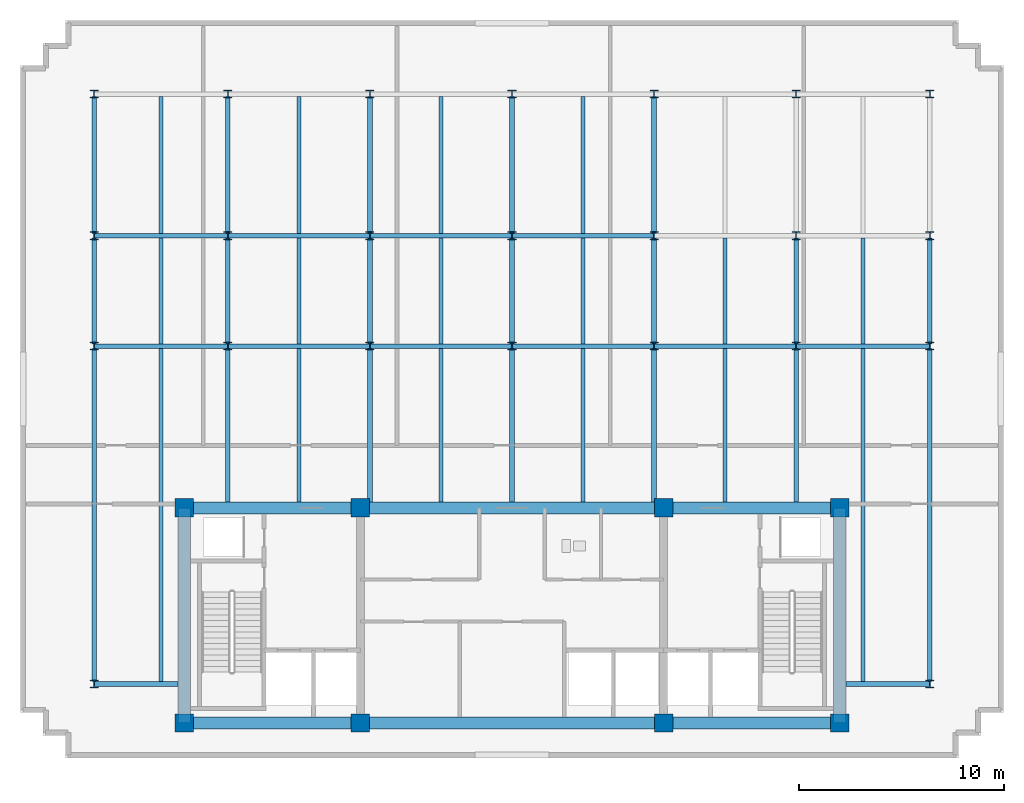
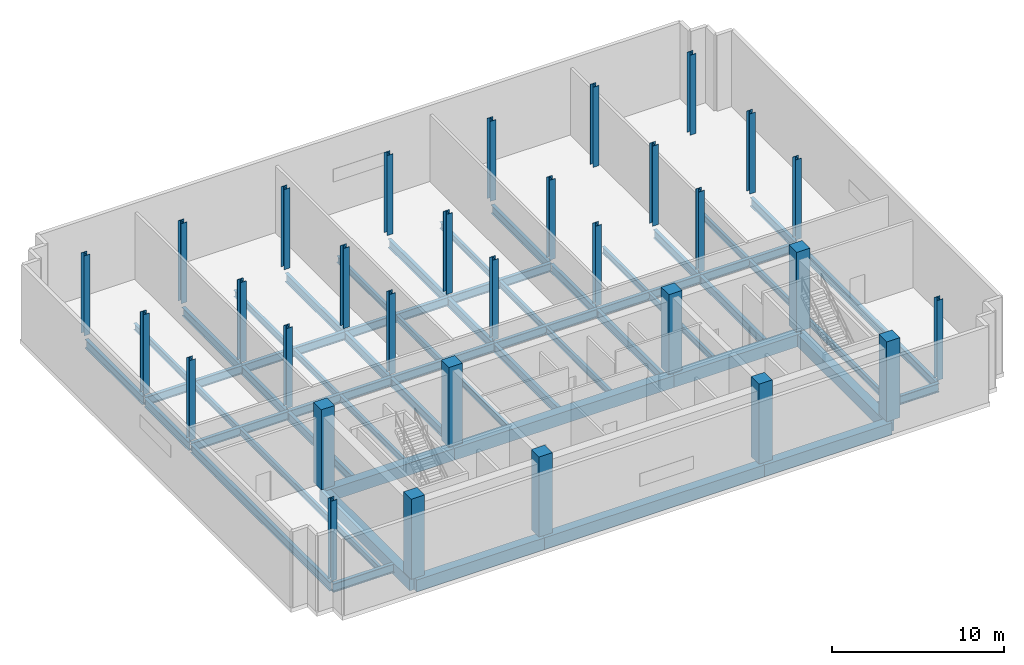
# One storey, part 1 of 7: 55 beams, 31 columns.
"""IFC4 building model written with IfcOpenShell, lengths in metres."""

from ifc_helpers import new_model, si_unit, direction, frame, origin, origin_2d, place, context, subcontext, project, spatial, rectangle, i_section, extrude, material, material_profile, profile_set, type_object, element, save


model = new_model("IFC4")

# Units and contexts
model_context = context("Model", 3, precision=1e-05, world=origin(), true_north=direction((0.0, 1.0)))
body_context = subcontext(model_context, "Body", "Model", "MODEL_VIEW")
ifc_project = project(units=[si_unit("LENGTHUNIT", "METRE"), si_unit("AREAUNIT", "SQUARE_METRE"), si_unit("VOLUMEUNIT", "CUBIC_METRE"), si_unit("PLANEANGLEUNIT", "RADIAN"), si_unit("MASSUNIT", "GRAM", prefix="KILO")], contexts=[model_context])

# Site, building, storey
site_placement = place(None, origin())
site = spatial("IfcSite", under=ifc_project, at=site_placement, CompositionType="ELEMENT")
building_placement = place(site_placement, origin())
building = spatial("IfcBuilding", under=site, at=building_placement, Name="Solmavex Isthmus Hotel", CompositionType="ELEMENT")
storey_placement = place(building_placement, frame((0.0, 0.0, 291.300048828125)))
storey = spatial("IfcBuildingStorey", under=building, at=storey_placement, Name="L79", CompositionType="ELEMENT", Elevation=291.300048828125)

# Columns
ifc_material_1 = material(Name="Concrete C50/60", Category="concrete")
ifc_material_profile_1 = material_profile(ifc_material_1, rectangle(XDim=0.89990234375, YDim=0.89990234375, at=origin_2d()), Name="RC900X900")
ifc_profile_set_1 = profile_set([ifc_material_profile_1], Name="Concrete C50/60")
column_type_1 = type_object("IfcColumnType", Name="COL-CC-900", PredefinedType="COLUMN", material=ifc_profile_set_1)
for number, where, z_axis, x_axis, name in (
    (1, (-16.0, -13.0, 0.0), (0.0, 0.0, 1.0), (1.0, 0.0, 0.0), "Core Pilaster CC-SW L79"),
    (2, (-7.39990234375, -13.0, 0.0), (0.0, 0.0, 1.0), (1.0, 0.0, 0.0), "Core Pilaster CC-S1 L79"),
    (3, (7.39990234375, -13.0, 0.0), (0.0, 0.0, 1.0), (1.0, 0.0, 0.0), "Core Pilaster CC-S2 L79"),
    (4, (16.0, -13.0, 0.0), (0.0, 0.0, 1.0), (1.0, 0.0, 0.0), "Core Pilaster CC-SE L79"),
    (5, (-16.0, -2.5, 0.0), (0.0, 0.0, 1.0), (1.0, 0.0, 0.0), "Core Pilaster CC-NW L79"),
    (6, (-7.39990234375, -2.5, 0.0), (0.0, 0.0, 1.0), (1.0, 0.0, 0.0), "Core Pilaster CC-N1 L79"),
    (7, (7.39990234375, -2.5, 0.0), (0.0, 0.0, 1.0), (1.0, 0.0, 0.0), "Core Pilaster CC-N2 L79"),
    (8, (16.0, -2.5, 0.0), (0.0, 0.0, 1.0), (1.0, 0.0, 0.0), "Core Pilaster CC-NE L79"),
):
    element("IfcColumn", number, at=place(storey_placement, frame(where, z_axis=z_axis, x_axis=x_axis)), inside=storey, type_object=column_type_1, Name=name, PredefinedType="COLUMN", context=body_context, shape_type="SweptSolid", body=[
        extrude(rectangle(XDim=0.89990234375, YDim=0.89990234375, at=origin_2d()), origin(), (0.0, 0.0, 1.0), 5.699951171875),
    ])
ifc_material_2 = material(Name="Steel ASTM A913 Grade 65", Category="steel")
ifc_material_profile_2 = material_profile(ifc_material_2, i_section(OverallWidth=0.393798828125, OverallDepth=0.37548828125, WebThickness=0.017333984375, FlangeThickness=0.027587890625, FilletRadius=0.030517578125, at=origin_2d()), Name="W14X145")
ifc_profile_set_2 = profile_set([ifc_material_profile_2], Name="Steel ASTM A913 Grade 65")
column_type_2 = type_object("IfcColumnType", Name="COL-SC-W14X145", PredefinedType="COLUMN", material=ifc_profile_set_2)
for number, where, z_axis, x_axis, name in (
    (9, (-20.39990234375, -11.10009765625, 0.0), (0.0, 0.0, 1.0), (1.0, 0.0, 0.0), "Tower Column B5-U1V1 L79"),
    (10, (-20.39990234375, 5.39990234375, 0.0), (0.0, 0.0, 1.0), (1.0, 0.0, 0.0), "Tower Column B5-U1V2 L79"),
    (11, (-20.39990234375, 10.7880859375, 0.0), (0.0, 0.0, 1.0), (1.0, 0.0, 0.0), "Tower Column B5-U1V3 L79"),
    (12, (-20.39990234375, 17.699951171875, 0.0), (0.0, 0.0, 1.0), (1.0, 0.0, 0.0), "Tower Column B5-U1V4 L79"),
    (13, (-13.8720703125, 5.39990234375, 0.0), (0.0, 0.0, 1.0), (1.0, 0.0, 0.0), "Tower Column B5-U2V2 L79"),
    (14, (-13.8720703125, 10.7880859375, 0.0), (0.0, 0.0, 1.0), (1.0, 0.0, 0.0), "Tower Column B5-U2V3 L79"),
    (15, (-13.8720703125, 17.699951171875, 0.0), (0.0, 0.0, 1.0), (1.0, 0.0, 0.0), "Tower Column B5-U2V4 L79"),
    (16, (-6.93603515625, 5.39990234375, 0.0), (0.0, 0.0, 1.0), (1.0, 0.0, 0.0), "Tower Column B5-U3V2 L79"),
    (17, (-6.93603515625, 10.7880859375, 0.0), (0.0, 0.0, 1.0), (1.0, 0.0, 0.0), "Tower Column B5-U3V3 L79"),
    (18, (-6.93603515625, 17.699951171875, 0.0), (0.0, 0.0, 1.0), (1.0, 0.0, 0.0), "Tower Column B5-U3V4 L79"),
    (19, (0.0, 5.39990234375, 0.0), (0.0, 0.0, 1.0), (1.0, 0.0, 0.0), "Tower Column B5-U4V2 L79"),
    (20, (0.0, 10.7880859375, 0.0), (0.0, 0.0, 1.0), (1.0, 0.0, 0.0), "Tower Column B5-U4V3 L79"),
    (21, (0.0, 17.699951171875, 0.0), (0.0, 0.0, 1.0), (1.0, 0.0, 0.0), "Tower Column B5-U4V4 L79"),
    (22, (6.93603515625, 5.39990234375, 0.0), (0.0, 0.0, 1.0), (1.0, 0.0, 0.0), "Tower Column B5-U5V2 L79"),
    (23, (6.93603515625, 10.7880859375, 0.0), (0.0, 0.0, 1.0), (1.0, 0.0, 0.0), "Tower Column B5-U5V3 L79"),
    (24, (6.93603515625, 17.699951171875, 0.0), (0.0, 0.0, 1.0), (1.0, 0.0, 0.0), "Tower Column B5-U5V4 L79"),
    (25, (13.8720703125, 5.39990234375, 0.0), (0.0, 0.0, 1.0), (1.0, 0.0, 0.0), "Tower Column B5-U6V2 L79"),
    (26, (13.8720703125, 10.7880859375, 0.0), (0.0, 0.0, 1.0), (1.0, 0.0, 0.0), "Tower Column B5-U6V3 L79"),
    (27, (13.8720703125, 17.699951171875, 0.0), (0.0, 0.0, 1.0), (1.0, 0.0, 0.0), "Tower Column B5-U6V4 L79"),
    (28, (20.39990234375, -11.10009765625, 0.0), (0.0, 0.0, 1.0), (1.0, 0.0, 0.0), "Tower Column B5-U7V1 L79"),
    (29, (20.39990234375, 5.39990234375, 0.0), (0.0, 0.0, 1.0), (1.0, 0.0, 0.0), "Tower Column B5-U7V2 L79"),
    (30, (20.39990234375, 10.7880859375, 0.0), (0.0, 0.0, 1.0), (1.0, 0.0, 0.0), "Tower Column B5-U7V3 L79"),
    (31, (20.39990234375, 17.699951171875, 0.0), (0.0, 0.0, 1.0), (1.0, 0.0, 0.0), "Tower Column B5-U7V4 L79"),
):
    element("IfcColumn", number, at=place(storey_placement, frame(where, z_axis=z_axis, x_axis=x_axis)), inside=storey, type_object=column_type_2, Name=name, PredefinedType="COLUMN", context=body_context, shape_type="SweptSolid", body=[
        extrude(i_section(OverallWidth=0.393798828125, OverallDepth=0.37548828125, WebThickness=0.017333984375, FlangeThickness=0.027587890625, FilletRadius=0.030517578125, at=origin_2d()), origin(), (0.0, 0.0, 1.0), 5.699951171875),
    ])

# Beams
ifc_material_3 = material(Name="Steel ASTM A992 Grade 50", Category="steel")
ifc_material_profile_3 = material_profile(ifc_material_3, i_section(OverallWidth=0.1904296875, OverallDepth=0.456787109375, WebThickness=0.009033203125, FlangeThickness=0.014404296875, FilletRadius=0.0126953125, at=origin_2d()), Name="W18X50")
ifc_profile_set_3 = profile_set([ifc_material_profile_3], Name="Steel ASTM A992 Grade 50")
beam_type_1 = type_object("IfcBeamType", Name="BM-BJ-W18X50", PredefinedType="JOIST", material=ifc_profile_set_3)
beam_1_placement = place(storey_placement, frame((-17.135986328125, -10.98486328125, -0.528564453125), z_axis=(0.0, 1.0, 0.0), x_axis=(-1.0, 0.0, 0.0)))
element("IfcBeam", 32, at=beam_1_placement, inside=storey, type_object=beam_type_1, Name="Secondary Floor Joist L79-J01", PredefinedType="JOIST", context=body_context, shape_type="SweptSolid", body=[
    extrude(i_section(OverallWidth=0.1904296875, OverallDepth=0.456787109375, WebThickness=0.009033203125, FlangeThickness=0.014404296875, FilletRadius=0.0126953125, at=origin_2d()), origin(), (0.0, 0.0, 1.0), 16.27099609375),
])
beam_2_placement = place(storey_placement, frame((-17.135986328125, 5.513916015625, -0.528564453125), z_axis=(0.0, 1.0, 0.0), x_axis=(-1.0, 0.0, 0.0)))
element("IfcBeam", 33, at=beam_2_placement, inside=storey, type_object=beam_type_1, Name="Secondary Floor Joist L79-J02", PredefinedType="JOIST", context=body_context, shape_type="SweptSolid", body=[
    extrude(i_section(OverallWidth=0.1904296875, OverallDepth=0.456787109375, WebThickness=0.009033203125, FlangeThickness=0.014404296875, FilletRadius=0.0126953125, at=origin_2d()), origin(), (0.0, 0.0, 1.0), 5.16015625),
])
beam_3_placement = place(storey_placement, frame((-17.135986328125, 10.90185546875, -0.528564453125), z_axis=(0.0, 1.0, 0.0), x_axis=(-1.0, 0.0, 0.0)))
element("IfcBeam", 34, at=beam_3_placement, inside=storey, type_object=beam_type_1, Name="Secondary Floor Joist L79-J03", PredefinedType="JOIST", context=body_context, shape_type="SweptSolid", body=[
    extrude(i_section(OverallWidth=0.1904296875, OverallDepth=0.456787109375, WebThickness=0.009033203125, FlangeThickness=0.014404296875, FilletRadius=0.0126953125, at=origin_2d()), origin(), (0.0, 0.0, 1.0), 6.682861328125),
])
beam_4_placement = place(storey_placement, frame((-10.404052734375, -2.199951171875, -0.528564453125), z_axis=(0.0, 1.0, 0.0), x_axis=(-1.0, 0.0, 0.0)))
element("IfcBeam", 35, at=beam_4_placement, inside=storey, type_object=beam_type_1, Name="Secondary Floor Joist L79-J04", PredefinedType="JOIST", context=body_context, shape_type="SweptSolid", body=[
    extrude(i_section(OverallWidth=0.1904296875, OverallDepth=0.456787109375, WebThickness=0.009033203125, FlangeThickness=0.014404296875, FilletRadius=0.0126953125, at=origin_2d()), origin(), (0.0, 0.0, 1.0), 7.486083984375),
])
beam_5_placement = place(storey_placement, frame((-10.404052734375, 5.513916015625, -0.528564453125), z_axis=(0.0, 1.0, 0.0), x_axis=(-1.0, 0.0, 0.0)))
element("IfcBeam", 36, at=beam_5_placement, inside=storey, type_object=beam_type_1, Name="Secondary Floor Joist L79-J05", PredefinedType="JOIST", context=body_context, shape_type="SweptSolid", body=[
    extrude(i_section(OverallWidth=0.1904296875, OverallDepth=0.456787109375, WebThickness=0.009033203125, FlangeThickness=0.014404296875, FilletRadius=0.0126953125, at=origin_2d()), origin(), (0.0, 0.0, 1.0), 5.16015625),
])
beam_6_placement = place(storey_placement, frame((-10.404052734375, 10.90185546875, -0.528564453125), z_axis=(0.0, 1.0, 0.0), x_axis=(-1.0, 0.0, 0.0)))
element("IfcBeam", 37, at=beam_6_placement, inside=storey, type_object=beam_type_1, Name="Secondary Floor Joist L79-J06", PredefinedType="JOIST", context=body_context, shape_type="SweptSolid", body=[
    extrude(i_section(OverallWidth=0.1904296875, OverallDepth=0.456787109375, WebThickness=0.009033203125, FlangeThickness=0.014404296875, FilletRadius=0.0126953125, at=origin_2d()), origin(), (0.0, 0.0, 1.0), 6.682861328125),
])
beam_7_placement = place(storey_placement, frame((-3.468017578125, -2.199951171875, -0.528564453125), z_axis=(0.0, 1.0, 0.0), x_axis=(-1.0, 0.0, 0.0)))
element("IfcBeam", 38, at=beam_7_placement, inside=storey, type_object=beam_type_1, Name="Secondary Floor Joist L79-J07", PredefinedType="JOIST", context=body_context, shape_type="SweptSolid", body=[
    extrude(i_section(OverallWidth=0.1904296875, OverallDepth=0.456787109375, WebThickness=0.009033203125, FlangeThickness=0.014404296875, FilletRadius=0.0126953125, at=origin_2d()), origin(), (0.0, 0.0, 1.0), 7.486083984375),
])
beam_8_placement = place(storey_placement, frame((-3.468017578125, 5.513916015625, -0.528564453125), z_axis=(0.0, 1.0, 0.0), x_axis=(-1.0, 0.0, 0.0)))
element("IfcBeam", 39, at=beam_8_placement, inside=storey, type_object=beam_type_1, Name="Secondary Floor Joist L79-J08", PredefinedType="JOIST", context=body_context, shape_type="SweptSolid", body=[
    extrude(i_section(OverallWidth=0.1904296875, OverallDepth=0.456787109375, WebThickness=0.009033203125, FlangeThickness=0.014404296875, FilletRadius=0.0126953125, at=origin_2d()), origin(), (0.0, 0.0, 1.0), 5.16015625),
])
beam_9_placement = place(storey_placement, frame((-3.468017578125, 10.90185546875, -0.528564453125), z_axis=(0.0, 1.0, 0.0), x_axis=(-1.0, 0.0, 0.0)))
element("IfcBeam", 40, at=beam_9_placement, inside=storey, type_object=beam_type_1, Name="Secondary Floor Joist L79-J09", PredefinedType="JOIST", context=body_context, shape_type="SweptSolid", body=[
    extrude(i_section(OverallWidth=0.1904296875, OverallDepth=0.456787109375, WebThickness=0.009033203125, FlangeThickness=0.014404296875, FilletRadius=0.0126953125, at=origin_2d()), origin(), (0.0, 0.0, 1.0), 6.682861328125),
])
beam_10_placement = place(storey_placement, frame((3.468017578125, -2.199951171875, -0.528564453125), z_axis=(0.0, 1.0, 0.0), x_axis=(-1.0, 0.0, 0.0)))
element("IfcBeam", 41, at=beam_10_placement, inside=storey, type_object=beam_type_1, Name="Secondary Floor Joist L79-J10", PredefinedType="JOIST", context=body_context, shape_type="SweptSolid", body=[
    extrude(i_section(OverallWidth=0.1904296875, OverallDepth=0.456787109375, WebThickness=0.009033203125, FlangeThickness=0.014404296875, FilletRadius=0.0126953125, at=origin_2d()), origin(), (0.0, 0.0, 1.0), 7.486083984375),
])
beam_11_placement = place(storey_placement, frame((3.468017578125, 5.513916015625, -0.528564453125), z_axis=(0.0, 1.0, 0.0), x_axis=(-1.0, 0.0, 0.0)))
element("IfcBeam", 42, at=beam_11_placement, inside=storey, type_object=beam_type_1, Name="Secondary Floor Joist L79-J11", PredefinedType="JOIST", context=body_context, shape_type="SweptSolid", body=[
    extrude(i_section(OverallWidth=0.1904296875, OverallDepth=0.456787109375, WebThickness=0.009033203125, FlangeThickness=0.014404296875, FilletRadius=0.0126953125, at=origin_2d()), origin(), (0.0, 0.0, 1.0), 5.16015625),
])
beam_12_placement = place(storey_placement, frame((3.468017578125, 10.90185546875, -0.528564453125), z_axis=(0.0, 1.0, 0.0), x_axis=(-1.0, 0.0, 0.0)))
element("IfcBeam", 43, at=beam_12_placement, inside=storey, type_object=beam_type_1, Name="Secondary Floor Joist L79-J12", PredefinedType="JOIST", context=body_context, shape_type="SweptSolid", body=[
    extrude(i_section(OverallWidth=0.1904296875, OverallDepth=0.456787109375, WebThickness=0.009033203125, FlangeThickness=0.014404296875, FilletRadius=0.0126953125, at=origin_2d()), origin(), (0.0, 0.0, 1.0), 6.682861328125),
])
beam_13_placement = place(storey_placement, frame((10.404052734375, -2.199951171875, -0.528564453125), z_axis=(0.0, 1.0, 0.0), x_axis=(-1.0, 0.0, 0.0)))
element("IfcBeam", 44, at=beam_13_placement, inside=storey, type_object=beam_type_1, Name="Secondary Floor Joist L79-J13", PredefinedType="JOIST", context=body_context, shape_type="SweptSolid", body=[
    extrude(i_section(OverallWidth=0.1904296875, OverallDepth=0.456787109375, WebThickness=0.009033203125, FlangeThickness=0.014404296875, FilletRadius=0.0126953125, at=origin_2d()), origin(), (0.0, 0.0, 1.0), 7.486083984375),
])
beam_14_placement = place(storey_placement, frame((10.404052734375, 5.513916015625, -0.528564453125), z_axis=(0.0, 1.0, 0.0), x_axis=(-1.0, 0.0, 0.0)))
element("IfcBeam", 45, at=beam_14_placement, inside=storey, type_object=beam_type_1, Name="Secondary Floor Joist L79-J14", PredefinedType="JOIST", context=body_context, shape_type="SweptSolid", body=[
    extrude(i_section(OverallWidth=0.1904296875, OverallDepth=0.456787109375, WebThickness=0.009033203125, FlangeThickness=0.014404296875, FilletRadius=0.0126953125, at=origin_2d()), origin(), (0.0, 0.0, 1.0), 5.16015625),
])
beam_15_placement = place(storey_placement, frame((17.135986328125, -10.98486328125, -0.528564453125), z_axis=(0.0, 1.0, 0.0), x_axis=(-1.0, 0.0, 0.0)))
element("IfcBeam", 46, at=beam_15_placement, inside=storey, type_object=beam_type_1, Name="Secondary Floor Joist L79-J16", PredefinedType="JOIST", context=body_context, shape_type="SweptSolid", body=[
    extrude(i_section(OverallWidth=0.1904296875, OverallDepth=0.456787109375, WebThickness=0.009033203125, FlangeThickness=0.014404296875, FilletRadius=0.0126953125, at=origin_2d()), origin(), (0.0, 0.0, 1.0), 16.27099609375),
])
beam_16_placement = place(storey_placement, frame((17.135986328125, 5.513916015625, -0.528564453125), z_axis=(0.0, 1.0, 0.0), x_axis=(-1.0, 0.0, 0.0)))
element("IfcBeam", 47, at=beam_16_placement, inside=storey, type_object=beam_type_1, Name="Secondary Floor Joist L79-J17", PredefinedType="JOIST", context=body_context, shape_type="SweptSolid", body=[
    extrude(i_section(OverallWidth=0.1904296875, OverallDepth=0.456787109375, WebThickness=0.009033203125, FlangeThickness=0.014404296875, FilletRadius=0.0126953125, at=origin_2d()), origin(), (0.0, 0.0, 1.0), 5.16015625),
])
ifc_material_profile_4 = material_profile(ifc_material_3, i_section(OverallWidth=0.227783203125, OverallDepth=0.602783203125, WebThickness=0.010498046875, FlangeThickness=0.014892578125, FilletRadius=0.01513671875, at=origin_2d()), Name="W24X68")
ifc_profile_set_4 = profile_set([ifc_material_profile_4], Name="Steel ASTM A992 Grade 50")
beam_type_2 = type_object("IfcBeamType", Name="BM-BM-W24X68", PredefinedType="BEAM", material=ifc_profile_set_4)
beam_17_placement = place(storey_placement, frame((-20.39990234375, 5.39990234375, -0.601318359375), z_axis=(1.0, 0.0, 0.0), x_axis=(0.0, 1.0, 0.0)))
element("IfcBeam", 48, at=beam_17_placement, inside=storey, type_object=beam_type_2, Name="Floor Girder L79-UG03", PredefinedType="BEAM", context=body_context, shape_type="SweptSolid", body=[
    extrude(i_section(OverallWidth=0.227783203125, OverallDepth=0.602783203125, WebThickness=0.010498046875, FlangeThickness=0.014892578125, FilletRadius=0.01513671875, at=origin_2d()), origin(), (0.0, 0.0, 1.0), 6.52783203125),
])
for number, where, z_axis, x_axis, name in (
    (49, (-13.8720703125, 5.39990234375, -0.601318359375), (1.0, 0.0, 0.0), (0.0, 1.0, 0.0), "Floor Girder L79-UG04"),
    (50, (-6.93603515625, 5.39990234375, -0.601318359375), (1.0, 0.0, 0.0), (0.0, 1.0, 0.0), "Floor Girder L79-UG05"),
    (51, (0.0, 5.39990234375, -0.601318359375), (1.0, 0.0, 0.0), (0.0, 1.0, 0.0), "Floor Girder L79-UG06"),
    (52, (6.93603515625, 5.39990234375, -0.601318359375), (1.0, 0.0, 0.0), (0.0, 1.0, 0.0), "Floor Girder L79-UG07"),
):
    element("IfcBeam", number, at=place(storey_placement, frame(where, z_axis=z_axis, x_axis=x_axis)), inside=storey, type_object=beam_type_2, Name=name, PredefinedType="BEAM", context=body_context, shape_type="SweptSolid", body=[
        extrude(i_section(OverallWidth=0.227783203125, OverallDepth=0.602783203125, WebThickness=0.010498046875, FlangeThickness=0.014892578125, FilletRadius=0.01513671875, at=origin_2d()), origin(), (0.0, 0.0, 1.0), 6.93603515625),
    ])
for number, where, z_axis, x_axis, name in (
    (53, (13.8720703125, 5.39990234375, -0.601318359375), (1.0, 0.0, 0.0), (0.0, 1.0, 0.0), "Floor Girder L79-UG08"),
    (54, (-20.39990234375, 10.7880859375, -0.601318359375), (1.0, 0.0, 0.0), (0.0, 1.0, 0.0), "Floor Girder L79-UG09"),
):
    element("IfcBeam", number, at=place(storey_placement, frame(where, z_axis=z_axis, x_axis=x_axis)), inside=storey, type_object=beam_type_2, Name=name, PredefinedType="BEAM", context=body_context, shape_type="SweptSolid", body=[
        extrude(i_section(OverallWidth=0.227783203125, OverallDepth=0.602783203125, WebThickness=0.010498046875, FlangeThickness=0.014892578125, FilletRadius=0.01513671875, at=origin_2d()), origin(), (0.0, 0.0, 1.0), 6.52783203125),
    ])
for number, where, z_axis, x_axis, name in (
    (55, (-13.8720703125, 10.7880859375, -0.601318359375), (1.0, 0.0, 0.0), (0.0, 1.0, 0.0), "Floor Girder L79-UG10"),
    (56, (-6.93603515625, 10.7880859375, -0.601318359375), (1.0, 0.0, 0.0), (0.0, 1.0, 0.0), "Floor Girder L79-UG11"),
    (57, (0.0, 10.7880859375, -0.601318359375), (1.0, 0.0, 0.0), (0.0, 1.0, 0.0), "Floor Girder L79-UG12"),
):
    element("IfcBeam", number, at=place(storey_placement, frame(where, z_axis=z_axis, x_axis=x_axis)), inside=storey, type_object=beam_type_2, Name=name, PredefinedType="BEAM", context=body_context, shape_type="SweptSolid", body=[
        extrude(i_section(OverallWidth=0.227783203125, OverallDepth=0.602783203125, WebThickness=0.010498046875, FlangeThickness=0.014892578125, FilletRadius=0.01513671875, at=origin_2d()), origin(), (0.0, 0.0, 1.0), 6.93603515625),
    ])
beam_18_placement = place(storey_placement, frame((-13.8720703125, -2.199951171875, -0.601318359375), z_axis=(0.0, 1.0, 0.0), x_axis=(-1.0, 0.0, 0.0)))
element("IfcBeam", 58, at=beam_18_placement, inside=storey, type_object=beam_type_2, Name="Floor Beam L79-VG24", PredefinedType="BEAM", context=body_context, shape_type="SweptSolid", body=[
    extrude(i_section(OverallWidth=0.227783203125, OverallDepth=0.602783203125, WebThickness=0.010498046875, FlangeThickness=0.014892578125, FilletRadius=0.01513671875, at=origin_2d()), origin(), (0.0, 0.0, 1.0), 7.486083984375),
])
beam_19_placement = place(storey_placement, frame((-13.8720703125, 5.513916015625, -0.601318359375), z_axis=(0.0, 1.0, 0.0), x_axis=(-1.0, 0.0, 0.0)))
element("IfcBeam", 59, at=beam_19_placement, inside=storey, type_object=beam_type_2, Name="Floor Beam L79-VG25", PredefinedType="BEAM", context=body_context, shape_type="SweptSolid", body=[
    extrude(i_section(OverallWidth=0.227783203125, OverallDepth=0.602783203125, WebThickness=0.010498046875, FlangeThickness=0.014892578125, FilletRadius=0.01513671875, at=origin_2d()), origin(), (0.0, 0.0, 1.0), 5.16015625),
])
beam_20_placement = place(storey_placement, frame((-13.8720703125, 10.90185546875, -0.601318359375), z_axis=(0.0, 1.0, 0.0), x_axis=(-1.0, 0.0, 0.0)))
element("IfcBeam", 60, at=beam_20_placement, inside=storey, type_object=beam_type_2, Name="Floor Beam L79-VG26", PredefinedType="BEAM", context=body_context, shape_type="SweptSolid", body=[
    extrude(i_section(OverallWidth=0.227783203125, OverallDepth=0.602783203125, WebThickness=0.010498046875, FlangeThickness=0.014892578125, FilletRadius=0.01513671875, at=origin_2d()), origin(), (0.0, 0.0, 1.0), 6.682861328125),
])
beam_21_placement = place(storey_placement, frame((-6.93603515625, -2.199951171875, -0.601318359375), z_axis=(0.0, 1.0, 0.0), x_axis=(-1.0, 0.0, 0.0)))
element("IfcBeam", 61, at=beam_21_placement, inside=storey, type_object=beam_type_2, Name="Floor Beam L79-VG27", PredefinedType="BEAM", context=body_context, shape_type="SweptSolid", body=[
    extrude(i_section(OverallWidth=0.227783203125, OverallDepth=0.602783203125, WebThickness=0.010498046875, FlangeThickness=0.014892578125, FilletRadius=0.01513671875, at=origin_2d()), origin(), (0.0, 0.0, 1.0), 7.486083984375),
])
beam_22_placement = place(storey_placement, frame((-6.93603515625, 5.513916015625, -0.601318359375), z_axis=(0.0, 1.0, 0.0), x_axis=(-1.0, 0.0, 0.0)))
element("IfcBeam", 62, at=beam_22_placement, inside=storey, type_object=beam_type_2, Name="Floor Beam L79-VG28", PredefinedType="BEAM", context=body_context, shape_type="SweptSolid", body=[
    extrude(i_section(OverallWidth=0.227783203125, OverallDepth=0.602783203125, WebThickness=0.010498046875, FlangeThickness=0.014892578125, FilletRadius=0.01513671875, at=origin_2d()), origin(), (0.0, 0.0, 1.0), 5.16015625),
])
beam_23_placement = place(storey_placement, frame((-6.93603515625, 10.90185546875, -0.601318359375), z_axis=(0.0, 1.0, 0.0), x_axis=(-1.0, 0.0, 0.0)))
element("IfcBeam", 63, at=beam_23_placement, inside=storey, type_object=beam_type_2, Name="Floor Beam L79-VG29", PredefinedType="BEAM", context=body_context, shape_type="SweptSolid", body=[
    extrude(i_section(OverallWidth=0.227783203125, OverallDepth=0.602783203125, WebThickness=0.010498046875, FlangeThickness=0.014892578125, FilletRadius=0.01513671875, at=origin_2d()), origin(), (0.0, 0.0, 1.0), 6.682861328125),
])
beam_24_placement = place(storey_placement, frame((0.0, -2.199951171875, -0.601318359375), z_axis=(0.0, 1.0, 0.0), x_axis=(-1.0, 0.0, 0.0)))
element("IfcBeam", 64, at=beam_24_placement, inside=storey, type_object=beam_type_2, Name="Floor Beam L79-VG30", PredefinedType="BEAM", context=body_context, shape_type="SweptSolid", body=[
    extrude(i_section(OverallWidth=0.227783203125, OverallDepth=0.602783203125, WebThickness=0.010498046875, FlangeThickness=0.014892578125, FilletRadius=0.01513671875, at=origin_2d()), origin(), (0.0, 0.0, 1.0), 7.486083984375),
])
beam_25_placement = place(storey_placement, frame((0.0, 5.513916015625, -0.601318359375), z_axis=(0.0, 1.0, 0.0), x_axis=(-1.0, 0.0, 0.0)))
element("IfcBeam", 65, at=beam_25_placement, inside=storey, type_object=beam_type_2, Name="Floor Beam L79-VG31", PredefinedType="BEAM", context=body_context, shape_type="SweptSolid", body=[
    extrude(i_section(OverallWidth=0.227783203125, OverallDepth=0.602783203125, WebThickness=0.010498046875, FlangeThickness=0.014892578125, FilletRadius=0.01513671875, at=origin_2d()), origin(), (0.0, 0.0, 1.0), 5.16015625),
])
beam_26_placement = place(storey_placement, frame((0.0, 10.90185546875, -0.601318359375), z_axis=(0.0, 1.0, 0.0), x_axis=(-1.0, 0.0, 0.0)))
element("IfcBeam", 66, at=beam_26_placement, inside=storey, type_object=beam_type_2, Name="Floor Beam L79-VG32", PredefinedType="BEAM", context=body_context, shape_type="SweptSolid", body=[
    extrude(i_section(OverallWidth=0.227783203125, OverallDepth=0.602783203125, WebThickness=0.010498046875, FlangeThickness=0.014892578125, FilletRadius=0.01513671875, at=origin_2d()), origin(), (0.0, 0.0, 1.0), 6.682861328125),
])
beam_27_placement = place(storey_placement, frame((6.93603515625, -2.199951171875, -0.601318359375), z_axis=(0.0, 1.0, 0.0), x_axis=(-1.0, 0.0, 0.0)))
element("IfcBeam", 67, at=beam_27_placement, inside=storey, type_object=beam_type_2, Name="Floor Beam L79-VG33", PredefinedType="BEAM", context=body_context, shape_type="SweptSolid", body=[
    extrude(i_section(OverallWidth=0.227783203125, OverallDepth=0.602783203125, WebThickness=0.010498046875, FlangeThickness=0.014892578125, FilletRadius=0.01513671875, at=origin_2d()), origin(), (0.0, 0.0, 1.0), 7.486083984375),
])
beam_28_placement = place(storey_placement, frame((6.93603515625, 5.513916015625, -0.601318359375), z_axis=(0.0, 1.0, 0.0), x_axis=(-1.0, 0.0, 0.0)))
element("IfcBeam", 68, at=beam_28_placement, inside=storey, type_object=beam_type_2, Name="Floor Beam L79-VG34", PredefinedType="BEAM", context=body_context, shape_type="SweptSolid", body=[
    extrude(i_section(OverallWidth=0.227783203125, OverallDepth=0.602783203125, WebThickness=0.010498046875, FlangeThickness=0.014892578125, FilletRadius=0.01513671875, at=origin_2d()), origin(), (0.0, 0.0, 1.0), 5.16015625),
])
beam_29_placement = place(storey_placement, frame((6.93603515625, 10.90185546875, -0.601318359375), z_axis=(0.0, 1.0, 0.0), x_axis=(-1.0, 0.0, 0.0)))
element("IfcBeam", 69, at=beam_29_placement, inside=storey, type_object=beam_type_2, Name="Floor Beam L79-VG35", PredefinedType="BEAM", context=body_context, shape_type="SweptSolid", body=[
    extrude(i_section(OverallWidth=0.227783203125, OverallDepth=0.602783203125, WebThickness=0.010498046875, FlangeThickness=0.014892578125, FilletRadius=0.01513671875, at=origin_2d()), origin(), (0.0, 0.0, 1.0), 6.682861328125),
])
beam_30_placement = place(storey_placement, frame((13.8720703125, -2.199951171875, -0.601318359375), z_axis=(0.0, 1.0, 0.0), x_axis=(-1.0, 0.0, 0.0)))
element("IfcBeam", 70, at=beam_30_placement, inside=storey, type_object=beam_type_2, Name="Floor Beam L79-VG36", PredefinedType="BEAM", context=body_context, shape_type="SweptSolid", body=[
    extrude(i_section(OverallWidth=0.227783203125, OverallDepth=0.602783203125, WebThickness=0.010498046875, FlangeThickness=0.014892578125, FilletRadius=0.01513671875, at=origin_2d()), origin(), (0.0, 0.0, 1.0), 7.486083984375),
])
beam_31_placement = place(storey_placement, frame((13.8720703125, 5.513916015625, -0.601318359375), z_axis=(0.0, 1.0, 0.0), x_axis=(-1.0, 0.0, 0.0)))
element("IfcBeam", 71, at=beam_31_placement, inside=storey, type_object=beam_type_2, Name="Floor Beam L79-VG37", PredefinedType="BEAM", context=body_context, shape_type="SweptSolid", body=[
    extrude(i_section(OverallWidth=0.227783203125, OverallDepth=0.602783203125, WebThickness=0.010498046875, FlangeThickness=0.014892578125, FilletRadius=0.01513671875, at=origin_2d()), origin(), (0.0, 0.0, 1.0), 5.16015625),
])
ifc_material_profile_5 = material_profile(ifc_material_1, rectangle(XDim=0.60009765625, YDim=0.85009765625, at=origin_2d()), Name="RC600X850")
ifc_profile_set_5 = profile_set([ifc_material_profile_5], Name="Concrete C50/60")
beam_type_3 = type_object("IfcBeamType", Name="BM-CB-600X850", PredefinedType="BEAM", material=ifc_profile_set_5)
beam_32_placement = place(storey_placement, frame((-16.0, -13.0, -0.72509765625), z_axis=(1.0, 0.0, 0.0), x_axis=(0.0, 1.0, 0.0)))
element("IfcBeam", 72, at=beam_32_placement, inside=storey, type_object=beam_type_3, Name="Core Coupling Beam L79-CB1", PredefinedType="BEAM", context=body_context, shape_type="SweptSolid", body=[
    extrude(rectangle(XDim=0.60009765625, YDim=0.85009765625, at=origin_2d()), origin(), (0.0, 0.0, 1.0), 8.60009765625),
])
beam_33_placement = place(storey_placement, frame((-7.39990234375, -13.0, -0.72509765625), z_axis=(1.0, 0.0, 0.0), x_axis=(0.0, 1.0, 0.0)))
element("IfcBeam", 73, at=beam_33_placement, inside=storey, type_object=beam_type_3, Name="Core Coupling Beam L79-CB2", PredefinedType="BEAM", context=body_context, shape_type="SweptSolid", body=[
    extrude(rectangle(XDim=0.60009765625, YDim=0.85009765625, at=origin_2d()), origin(), (0.0, 0.0, 1.0), 14.7998046875),
])
for number, where, z_axis, x_axis, name in (
    (74, (7.39990234375, -13.0, -0.72509765625), (1.0, 0.0, 0.0), (0.0, 1.0, 0.0), "Core Coupling Beam L79-CB3"),
    (75, (-16.0, -2.5, -0.72509765625), (1.0, 0.0, 0.0), (0.0, 1.0, 0.0), "Core Coupling Beam L79-CB4"),
):
    element("IfcBeam", number, at=place(storey_placement, frame(where, z_axis=z_axis, x_axis=x_axis)), inside=storey, type_object=beam_type_3, Name=name, PredefinedType="BEAM", context=body_context, shape_type="SweptSolid", body=[
        extrude(rectangle(XDim=0.60009765625, YDim=0.85009765625, at=origin_2d()), origin(), (0.0, 0.0, 1.0), 8.60009765625),
    ])
beam_34_placement = place(storey_placement, frame((-7.39990234375, -2.5, -0.72509765625), z_axis=(1.0, 0.0, 0.0), x_axis=(0.0, 1.0, 0.0)))
element("IfcBeam", 76, at=beam_34_placement, inside=storey, type_object=beam_type_3, Name="Core Coupling Beam L79-CB5", PredefinedType="BEAM", context=body_context, shape_type="SweptSolid", body=[
    extrude(rectangle(XDim=0.60009765625, YDim=0.85009765625, at=origin_2d()), origin(), (0.0, 0.0, 1.0), 14.7998046875),
])
beam_35_placement = place(storey_placement, frame((7.39990234375, -2.5, -0.72509765625), z_axis=(1.0, 0.0, 0.0), x_axis=(0.0, 1.0, 0.0)))
element("IfcBeam", 77, at=beam_35_placement, inside=storey, type_object=beam_type_3, Name="Core Coupling Beam L79-CB6", PredefinedType="BEAM", context=body_context, shape_type="SweptSolid", body=[
    extrude(rectangle(XDim=0.60009765625, YDim=0.85009765625, at=origin_2d()), origin(), (0.0, 0.0, 1.0), 8.60009765625),
])
for number, where, z_axis, x_axis, name in (
    (78, (-16.0, -13.0, -0.72509765625), (0.0, 1.0, 0.0), (-1.0, 0.0, 0.0), "Core Coupling Beam L79-CB7"),
    (79, (16.0, -13.0, -0.72509765625), (0.0, 1.0, 0.0), (-1.0, 0.0, 0.0), "Core Coupling Beam L79-CB8"),
):
    element("IfcBeam", number, at=place(storey_placement, frame(where, z_axis=z_axis, x_axis=x_axis)), inside=storey, type_object=beam_type_3, Name=name, PredefinedType="BEAM", context=body_context, shape_type="SweptSolid", body=[
        extrude(rectangle(XDim=0.60009765625, YDim=0.85009765625, at=origin_2d()), origin(), (0.0, 0.0, 1.0), 10.5),
    ])
ifc_material_profile_6 = material_profile(ifc_material_3, i_section(OverallWidth=0.230224609375, OverallDepth=0.617431640625, WebThickness=0.01318359375, FlangeThickness=0.022216796875, FilletRadius=0.01513671875, at=origin_2d()), Name="W24X94")
ifc_profile_set_6 = profile_set([ifc_material_profile_6], Name="Steel ASTM A992 Grade 50")
beam_type_4 = type_object("IfcBeamType", Name="BM-SP-W24X94", PredefinedType="SPANDREL", material=ifc_profile_set_6)
for number, where, z_axis, x_axis, name in (
    (80, (-20.39990234375, -11.10009765625, -0.60888671875), (1.0, 0.0, 0.0), (0.0, 1.0, 0.0), "Floor Girder L79-UG01"),
    (81, (16.300048828125, -11.10009765625, -0.60888671875), (1.0, 0.0, 0.0), (0.0, 1.0, 0.0), "Floor Girder L79-UG02"),
):
    element("IfcBeam", number, at=place(storey_placement, frame(where, z_axis=z_axis, x_axis=x_axis)), inside=storey, type_object=beam_type_4, Name=name, PredefinedType="SPANDREL", context=body_context, shape_type="SweptSolid", body=[
        extrude(i_section(OverallWidth=0.230224609375, OverallDepth=0.617431640625, WebThickness=0.01318359375, FlangeThickness=0.022216796875, FilletRadius=0.01513671875, at=origin_2d()), origin(), (0.0, 0.0, 1.0), 4.099853515625),
    ])
beam_36_placement = place(storey_placement, frame((-20.39990234375, -10.98486328125, -0.60888671875), z_axis=(0.0, 1.0, 0.0), x_axis=(-1.0, 0.0, 0.0)))
element("IfcBeam", 82, at=beam_36_placement, inside=storey, type_object=beam_type_4, Name="Floor Beam L79-VG21", PredefinedType="SPANDREL", context=body_context, shape_type="SweptSolid", body=[
    extrude(i_section(OverallWidth=0.230224609375, OverallDepth=0.617431640625, WebThickness=0.01318359375, FlangeThickness=0.022216796875, FilletRadius=0.01513671875, at=origin_2d()), origin(), (0.0, 0.0, 1.0), 16.27099609375),
])
beam_37_placement = place(storey_placement, frame((-20.39990234375, 5.513916015625, -0.60888671875), z_axis=(0.0, 1.0, 0.0), x_axis=(-1.0, 0.0, 0.0)))
element("IfcBeam", 83, at=beam_37_placement, inside=storey, type_object=beam_type_4, Name="Floor Beam L79-VG22", PredefinedType="SPANDREL", context=body_context, shape_type="SweptSolid", body=[
    extrude(i_section(OverallWidth=0.230224609375, OverallDepth=0.617431640625, WebThickness=0.01318359375, FlangeThickness=0.022216796875, FilletRadius=0.01513671875, at=origin_2d()), origin(), (0.0, 0.0, 1.0), 5.16015625),
])
beam_38_placement = place(storey_placement, frame((-20.39990234375, 10.90185546875, -0.60888671875), z_axis=(0.0, 1.0, 0.0), x_axis=(-1.0, 0.0, 0.0)))
element("IfcBeam", 84, at=beam_38_placement, inside=storey, type_object=beam_type_4, Name="Floor Beam L79-VG23", PredefinedType="SPANDREL", context=body_context, shape_type="SweptSolid", body=[
    extrude(i_section(OverallWidth=0.230224609375, OverallDepth=0.617431640625, WebThickness=0.01318359375, FlangeThickness=0.022216796875, FilletRadius=0.01513671875, at=origin_2d()), origin(), (0.0, 0.0, 1.0), 6.682861328125),
])
beam_39_placement = place(storey_placement, frame((20.39990234375, -10.98486328125, -0.60888671875), z_axis=(0.0, 1.0, 0.0), x_axis=(-1.0, 0.0, 0.0)))
element("IfcBeam", 85, at=beam_39_placement, inside=storey, type_object=beam_type_4, Name="Floor Beam L79-VG39", PredefinedType="SPANDREL", context=body_context, shape_type="SweptSolid", body=[
    extrude(i_section(OverallWidth=0.230224609375, OverallDepth=0.617431640625, WebThickness=0.01318359375, FlangeThickness=0.022216796875, FilletRadius=0.01513671875, at=origin_2d()), origin(), (0.0, 0.0, 1.0), 16.27099609375),
])
beam_40_placement = place(storey_placement, frame((20.39990234375, 5.513916015625, -0.60888671875), z_axis=(0.0, 1.0, 0.0), x_axis=(-1.0, 0.0, 0.0)))
element("IfcBeam", 86, at=beam_40_placement, inside=storey, type_object=beam_type_4, Name="Floor Beam L79-VG40", PredefinedType="SPANDREL", context=body_context, shape_type="SweptSolid", body=[
    extrude(i_section(OverallWidth=0.230224609375, OverallDepth=0.617431640625, WebThickness=0.01318359375, FlangeThickness=0.022216796875, FilletRadius=0.01513671875, at=origin_2d()), origin(), (0.0, 0.0, 1.0), 5.16015625),
])

save(model, "model.ifc")
